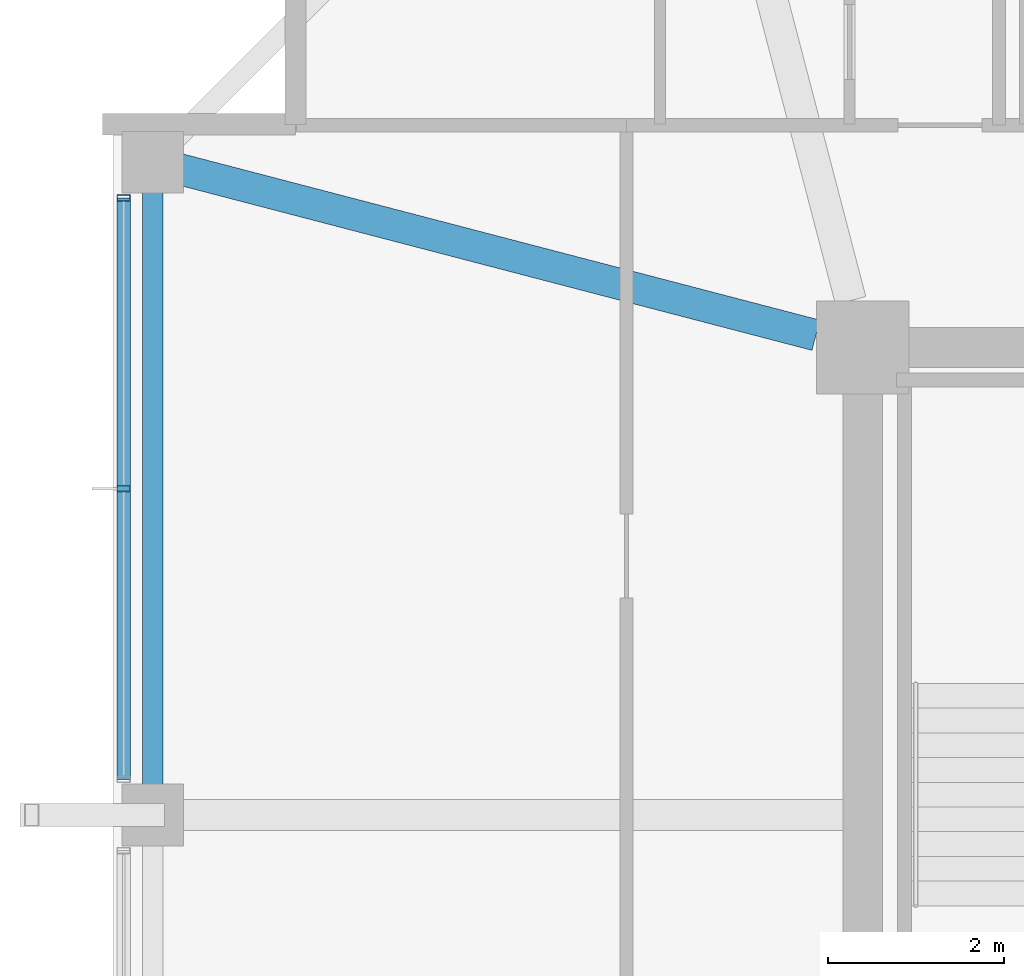
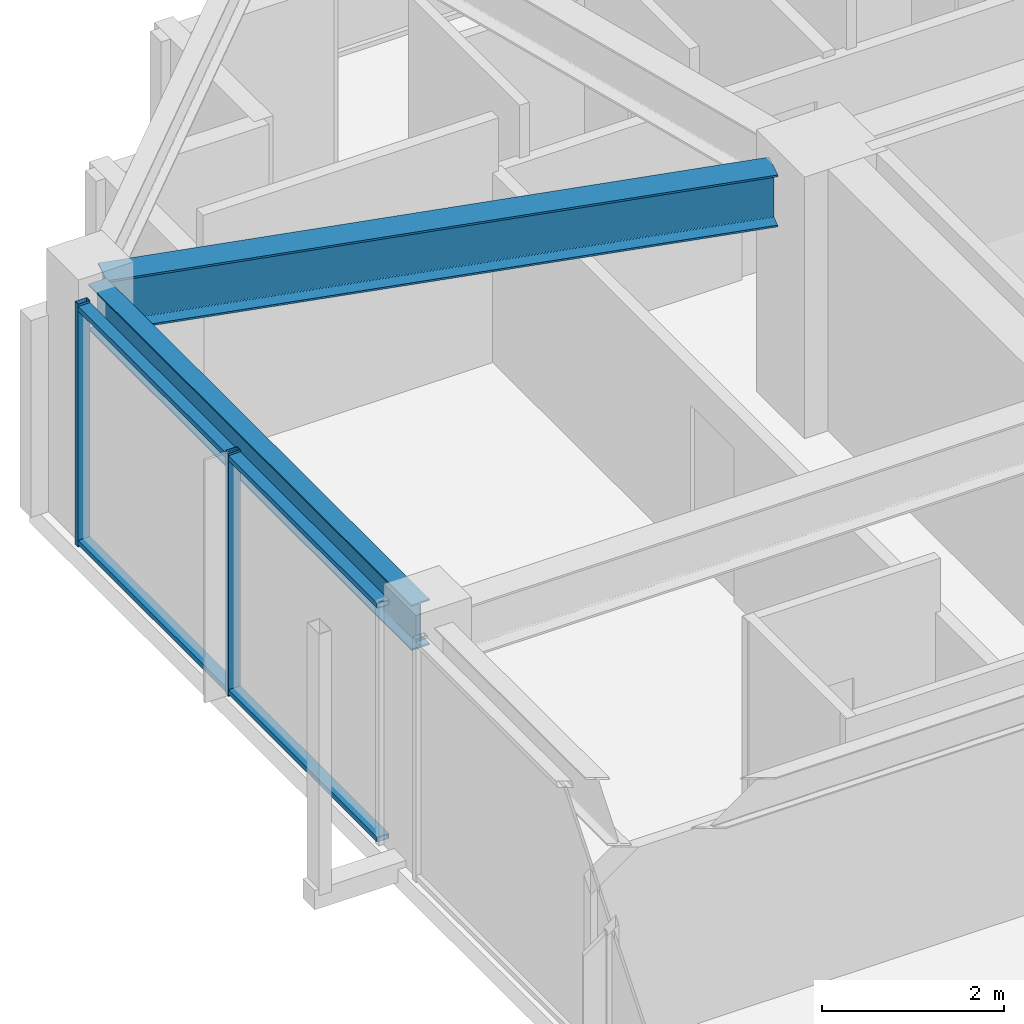
# One storey, part 9 of 29: 4 members, 2 beams, 1 element without a shape of its own.
"""IFC4 building model written with IfcOpenShell, lengths in metres."""

from ifc_helpers import new_model, si_unit, direction, frame, origin, origin_2d, place, context, subcontext, project, spatial, hollow_rectangle, i_section, extrude, material, material_profile, profile_set, type_object, element, aggregate, save


model = new_model("IFC4")

# Units and contexts
model_context = context("Model", 3, precision=1e-05, world=origin(), true_north=direction((0.0, 1.0)))
body_context = subcontext(model_context, "Body", "Model", "MODEL_VIEW")
ifc_project = project(units=[si_unit("LENGTHUNIT", "METRE"), si_unit("AREAUNIT", "SQUARE_METRE"), si_unit("VOLUMEUNIT", "CUBIC_METRE"), si_unit("PLANEANGLEUNIT", "RADIAN"), si_unit("MASSUNIT", "GRAM", prefix="KILO")], contexts=[model_context])

# Site, building, storey
site_placement = place(None, origin())
site = spatial("IfcSite", under=ifc_project, at=site_placement, CompositionType="ELEMENT")
building_placement = place(site_placement, origin())
building = spatial("IfcBuilding", under=site, at=building_placement, Name="Kolvaren Belvedere", CompositionType="ELEMENT")
storey_placement = place(building_placement, frame((0.0, 0.0, 244.39990234375)))
storey = spatial("IfcBuildingStorey", under=building, at=storey_placement, Name="L71", CompositionType="ELEMENT", Elevation=244.39990234375)

# Beams
ifc_material_1 = material(Name="Structural steel ASTM A992 Grade 50", Category="steel")
ifc_material_profile_1 = material_profile(ifc_material_1, i_section(OverallWidth=0.35498046875, OverallDepth=0.696044921875, WebThickness=0.015380859375, FlangeThickness=0.02490234375, FilletRadius=0.02197265625, at=origin_2d()), Name="W27X146")
ifc_profile_set_1 = profile_set([ifc_material_profile_1], Name="Structural steel ASTM A992 Grade 50")
beam_type_1 = type_object("IfcBeamType", Name="BM-GIRD-W27X146", PredefinedType="BEAM", material=ifc_profile_set_1)
beam_1_placement = place(storey_placement, frame((-10.43212890625, 10.038818359375, 2.902099609375), z_axis=(-0.967618631679, 0.25241668651, 0.0), x_axis=(-0.25241668651, -0.967618631679, 0.0)))
element("IfcBeam", 1, at=beam_1_placement, inside=storey, type_object=beam_type_1, Name="L71 Corner Core-to-Perimeter Girder CC4-W4", PredefinedType="BEAM", context=body_context, shape_type="SweptSolid", body=[
    extrude(i_section(OverallWidth=0.35498046875, OverallDepth=0.696044921875, WebThickness=0.015380859375, FlangeThickness=0.02490234375, FilletRadius=0.02197265625, at=origin_2d()), origin(), (0.0, 0.0, 1.0), 7.62939453125),
])
ifc_material_2 = material(Name="Structural steel ASTM A992 Grade 50", Category="steel")
ifc_material_profile_2 = material_profile(ifc_material_2, i_section(OverallWidth=0.22900390625, OverallDepth=0.612060546875, WebThickness=0.011962890625, FlangeThickness=0.01953125, FilletRadius=0.01806640625, at=origin_2d()), Name="W24X84")
ifc_profile_set_2 = profile_set([ifc_material_profile_2], Name="Structural steel ASTM A992 Grade 50")
beam_type_2 = type_object("IfcBeamType", Name="BM-SPAN-W24X84", PredefinedType="SPANDREL", material=ifc_profile_set_2)
beam_2_placement = place(storey_placement, frame((-17.949951171875, 11.842529296875, 2.944091796875), z_axis=(0.0, -1.0, 0.0), x_axis=(1.0, 0.0, 0.0)))
element("IfcBeam", 2, at=beam_2_placement, inside=storey, type_object=beam_type_2, Name="L71 Perimeter Spandrel W4-W3", PredefinedType="SPANDREL", context=body_context, shape_type="SweptSolid", body=[
    extrude(i_section(OverallWidth=0.22900390625, OverallDepth=0.612060546875, WebThickness=0.011962890625, FlangeThickness=0.01953125, FilletRadius=0.01806640625, at=origin_2d()), origin(), (0.0, 0.0, 1.0), 7.0849609375),
])

# Curtain wall, members
ifc_material_3 = material(Name="Anodised pale-metal aluminium AA 6063-T6", Category="aluminium")
curtain_wall_type = type_object("IfcCurtainWallType", Name="CW-Z5-HIGH", PredefinedType="NOTDEFINED", material=ifc_material_3)
curtain_wall_placement = place(storey_placement, origin())
curtain_wall = element("IfcCurtainWall", 3, at=curtain_wall_placement, inside=storey, type_object=curtain_wall_type, Name="L71 Unitised Curtain Wall FCW-L71-W-B3", PredefinedType="NOTDEFINED")
ifc_material_4 = material(Name="Anodised pale-metal aluminium AA 6063-T6", Category="aluminium")
ifc_material_profile_3 = material_profile(ifc_material_4, hollow_rectangle(XDim=0.070068359375, YDim=0.14990234375, WallThickness=0.004150390625, at=origin_2d()), Name="ALU-MUL-150X70")
ifc_profile_set_3 = profile_set([ifc_material_profile_3], Name="Anodised pale-metal aluminium AA 6063-T6")
member_type_1 = type_object("IfcMemberType", Name="CW-MUL-150", PredefinedType="MULLION", material=ifc_profile_set_3)
member_1_placement = place(storey_placement, frame((-18.280029296875, 8.300048828125, 0.0), z_axis=(0.0, 0.0, 1.0), x_axis=(0.0, 1.0, 0.0)))
member_1 = element("IfcMember", 4, at=member_1_placement, type_object=member_type_1, Name="FCW-L71-W-B3 Unitised Mullion 2", PredefinedType="MULLION", context=body_context, shape_type="SweptSolid", body=[
    extrude(hollow_rectangle(XDim=0.070068359375, YDim=0.14990234375, WallThickness=0.004150390625, at=origin_2d()), origin(), (0.0, 0.0, 1.0), 3.25),
])
member_2_placement = place(storey_placement, frame((-18.280029296875, 11.594970703125, 0.0), z_axis=(0.0, 0.0, 1.0), x_axis=(0.0, 1.0, 0.0)))
member_2 = element("IfcMember", 5, at=member_2_placement, type_object=member_type_1, Name="FCW-L71-W-B3 Unitised Mullion 3", PredefinedType="MULLION", context=body_context, shape_type="SweptSolid", body=[
    extrude(hollow_rectangle(XDim=0.070068359375, YDim=0.14990234375, WallThickness=0.004150390625, at=origin_2d()), origin(), (0.0, 0.0, 1.0), 3.25),
])
ifc_material_5 = material(Name="Anodised pale-metal aluminium AA 6063-T6", Category="aluminium")
ifc_material_profile_4 = material_profile(ifc_material_5, hollow_rectangle(XDim=0.06494140625, YDim=0.14990234375, WallThickness=0.00390625, at=origin_2d()), Name="ALU-TRN-150X65")
ifc_profile_set_4 = profile_set([ifc_material_profile_4], Name="Anodised pale-metal aluminium AA 6063-T6")
member_type_2 = type_object("IfcMemberType", Name="CW-TRN-150", PredefinedType="USERDEFINED", material=ifc_profile_set_4)
member_3_placement = place(storey_placement, frame((-18.280029296875, 5.0048828125, 0.06005859375), z_axis=(0.0, 1.0, 0.0), x_axis=(0.0, 0.0, 1.0)))
member_3 = element("IfcMember", 6, at=member_3_placement, type_object=member_type_2, Name="FCW-L71-W-B3 Sill Transom", ObjectType="TRANSOM", PredefinedType="USERDEFINED", context=body_context, shape_type="SweptSolid", body=[
    extrude(hollow_rectangle(XDim=0.06494140625, YDim=0.14990234375, WallThickness=0.00390625, at=origin_2d()), origin(), (0.0, 0.0, 1.0), 6.590087890625),
])
member_4_placement = place(storey_placement, frame((-18.280029296875, 5.0048828125, 3.190185546875), z_axis=(0.0, 1.0, 0.0), x_axis=(0.0, 0.0, 1.0)))
member_4 = element("IfcMember", 7, at=member_4_placement, type_object=member_type_2, Name="FCW-L71-W-B3 Head Transom", ObjectType="TRANSOM", PredefinedType="USERDEFINED", context=body_context, shape_type="SweptSolid", body=[
    extrude(hollow_rectangle(XDim=0.06494140625, YDim=0.14990234375, WallThickness=0.00390625, at=origin_2d()), origin(), (0.0, 0.0, 1.0), 6.590087890625),
])
aggregate(curtain_wall, [member_1, member_2, member_3, member_4])

save(model, "model.ifc")
